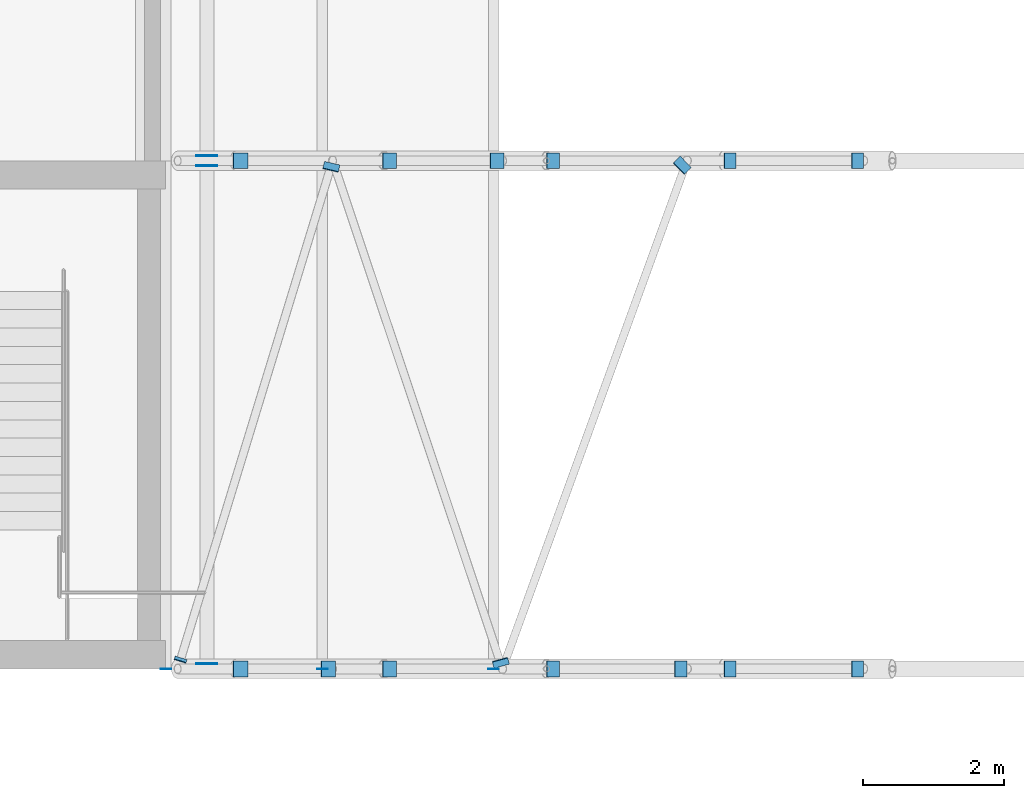
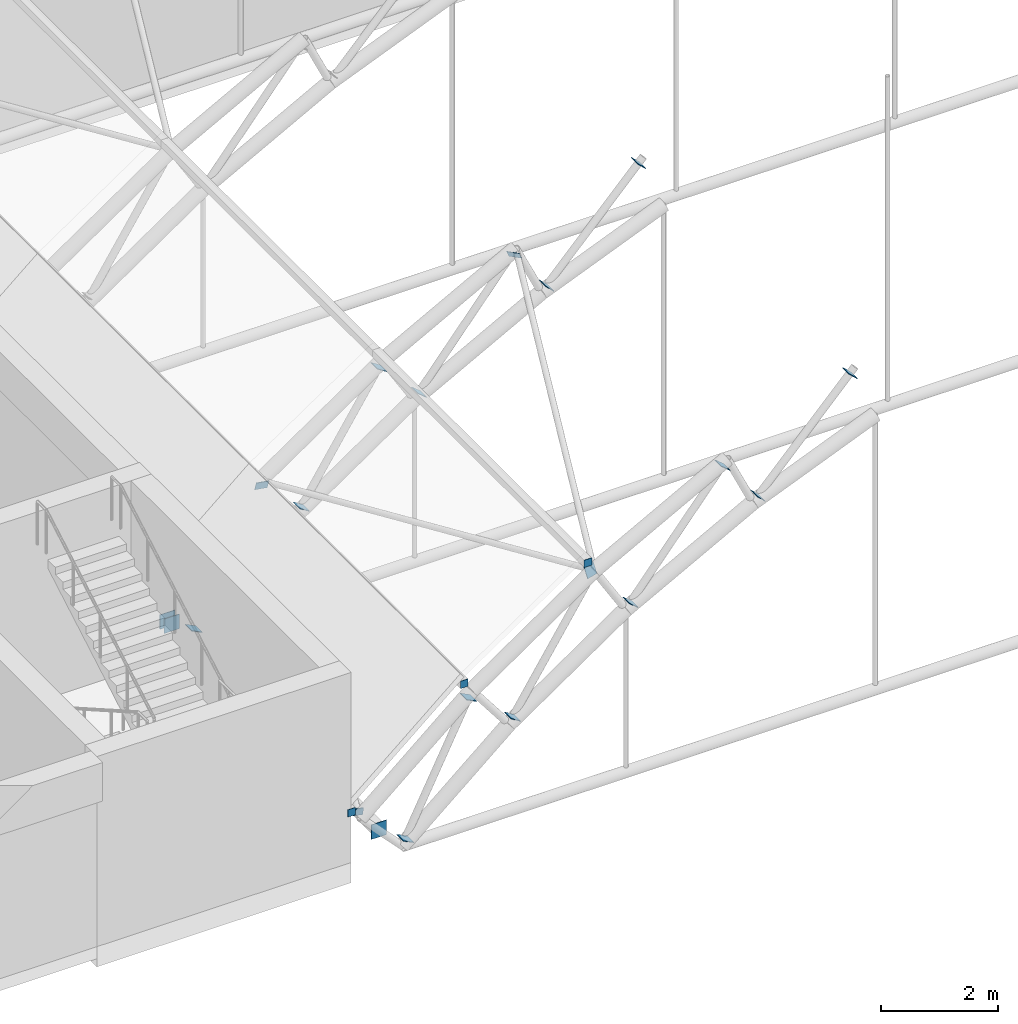
# One storey, part 83 of 101: 23 discrete accessories.
"""IFC4 building model written with IfcOpenShell, lengths in metres."""

from ifc_helpers import new_model, si_unit, direction, frame, origin, origin_2d, place, context, subcontext, project, spatial, rectangle, extrude, material, material_profile, profile_set, type_object, element, save


model = new_model("IFC4")

# Units and contexts
model_context = context("Model", 3, precision=1e-05, world=origin(), true_north=direction((0.0, 1.0)))
body_context = subcontext(model_context, "Body", "Model", "MODEL_VIEW")
ifc_project = project(units=[si_unit("LENGTHUNIT", "METRE"), si_unit("AREAUNIT", "SQUARE_METRE"), si_unit("VOLUMEUNIT", "CUBIC_METRE"), si_unit("PLANEANGLEUNIT", "RADIAN"), si_unit("MASSUNIT", "GRAM", prefix="KILO")], contexts=[model_context])

# Site, building, storey
site_placement = place(None, origin())
site = spatial("IfcSite", under=ifc_project, at=site_placement, CompositionType="ELEMENT")
building_placement = place(site_placement, origin())
building = spatial("IfcBuilding", under=site, at=building_placement, Name="Laocheng Heights Fire and Rescue Headquarters", CompositionType="ELEMENT")
storey_placement = place(building_placement, frame((0.0, 0.0, 8.39990234375)))
storey = spatial("IfcBuildingStorey", under=building, at=storey_placement, Name="L02", CompositionType="ELEMENT", Elevation=8.39990234375)

# Discrete accessories
ifc_material_1 = material(Name="Steel Q355B", Category="steel")
ifc_material_profile_1 = material_profile(ifc_material_1, rectangle(XDim=0.14990234375, YDim=0.14990234375, at=origin_2d()), Name="END CAP PLATE 150 x 150 x 8 FOR BAY ROOF PURLIN SHS 150x150x8")
ifc_profile_set_1 = profile_set([ifc_material_profile_1], Name="Steel Q355B")
discrete_accessory_type_1 = type_object("IfcDiscreteAccessoryType", Name="END CAP PLATE 150 x 150 x 8 FOR BAY ROOF PURLIN SHS 150x150x8", PredefinedType="BRACKET", material=ifc_profile_set_1)
for number, where, z_axis, x_axis, name in (
    (1, (17.00439453125, -0.008056640625, 1.045166015625), (0.0, 1.0, 0.0), (-1.0, 0.0, 0.0), "Cap plate at Purlin 1.1 end 1"),
    (2, (19.221435546875, -0.008056640625, 2.941162109375), (0.0, 1.0, 0.0), (-1.0, 0.0, 0.0), "Cap plate at Purlin 2.1 end 1"),
    (3, (21.64990234375, -0.008056640625, 4.60595703125), (0.0, 1.0, 0.0), (-1.0, 0.0, 0.0), "Cap plate at Purlin 3.1 end 1"),
):
    element("IfcDiscreteAccessory", number, at=place(storey_placement, frame(where, z_axis=z_axis, x_axis=x_axis)), inside=storey, type_object=discrete_accessory_type_1, Name=name, PredefinedType="BRACKET", context=body_context, shape_type="SweptSolid", body=[
        extrude(rectangle(XDim=0.14990234375, YDim=0.14990234375, at=origin_2d()), origin(), (0.0, 0.0, 1.0), 0.008056640625),
    ])
ifc_material_2 = material(Name="Steel Q355B, dark grey painted", Category="steel")
ifc_material_profile_2 = material_profile(ifc_material_2, rectangle(XDim=0.175048828125, YDim=0.175048828125, at=origin_2d()), Name="GUSSET PLATE 175 x 175 x 12 FOR BAY ROOF BRACE CHS 114.3x5")
ifc_profile_set_2 = profile_set([ifc_material_profile_2], Name="Steel Q355B, dark grey painted")
discrete_accessory_type_2 = type_object("IfcDiscreteAccessoryType", Name="GUSSET PLATE 175 x 175 x 12 FOR BAY ROOF BRACE CHS 114.3x5", PredefinedType="BRACKET", material=ifc_profile_set_2)
discrete_accessory_1_placement = place(storey_placement, frame((17.2099609375, 0.124267578125, 0.901611328125), z_axis=(0.282497009295, 0.928204459112, 0.242140293681), x_axis=(-0.956673880429, 0.291161615783, 0.0)))
element("IfcDiscreteAccessory", 4, at=discrete_accessory_1_placement, inside=storey, type_object=discrete_accessory_type_2, Name="End plate at BR01 end 1", PredefinedType="BRACKET", context=body_context, shape_type="SweptSolid", body=[
    extrude(rectangle(XDim=0.175048828125, YDim=0.175048828125, at=origin_2d()), origin(), (0.0, 0.0, 1.0), 0.01220703125),
])
ifc_material_3 = material(Name="Steel Q355B, dark grey painted", Category="steel")
ifc_material_profile_3 = material_profile(ifc_material_3, rectangle(XDim=0.22509765625, YDim=0.22509765625, at=origin_2d()), Name="GUSSET PLATE 225 x 225 x 12 FOR BAY ROOF DIAG CHS 139.7x6")
ifc_profile_set_3 = profile_set([ifc_material_profile_3], Name="Steel Q355B, dark grey painted")
discrete_accessory_type_3 = type_object("IfcDiscreteAccessoryType", Name="GUSSET PLATE 225 x 225 x 12 FOR BAY ROOF DIAG CHS 139.7x6", PredefinedType="BRACKET", material=ifc_profile_set_3)
for number, where, z_axis, x_axis, name in (
    (5, (18.059814453125, 0.0, 0.1201171875), (0.4472135955, 0.0, 0.894427191), (0.0, 1.0, 0.0), "End plate at TR1-DG01 end 1"),
    (6, (19.303955078125, 0.0, 2.618408203125), (0.4472135955, 0.0, 0.894427191), (0.0, 1.0, 0.0), "End plate at TR1-DG01 end 2"),
    (7, (20.172607421875, 0.0, 1.910888671875), (0.535542025358, 0.0, 0.84450857845), (0.0, 1.0, 0.0), "End plate at TR1-DG02 end 1"),
    (8, (22.48486328125, 0.0, 3.480712890625), (0.632126727472, 0.0, 0.774865020772), (0.0, 1.0, 0.0), "End plate at TR1-DG03 end 1"),
    (9, (24.297607421875, 0.0, 5.695068359375), (0.632126727472, 0.0, 0.774865020772), (0.0, 1.0, 0.0), "End plate at TR1-DG03 end 2"),
    (10, (24.991943359375, 0.0, 4.819580078125), (0.696785684263, 0.0, 0.717279380859), (0.0, 1.0, 0.0), "End plate at TR1-DG04 end 1"),
):
    element("IfcDiscreteAccessory", number, at=place(storey_placement, frame(where, z_axis=z_axis, x_axis=x_axis)), inside=storey, type_object=discrete_accessory_type_3, Name=name, PredefinedType="BRACKET", context=body_context, shape_type="SweptSolid", body=[
        extrude(rectangle(XDim=0.22509765625, YDim=0.22509765625, at=origin_2d()), origin(), (0.0, 0.0, 1.0), 0.011962890625),
    ])
discrete_accessory_2_placement = place(storey_placement, frame((26.7998046875, 0.0, 6.73291015625), z_axis=(0.686623532964, 0.0, 0.72701315255), x_axis=(0.0, 1.0, 0.0)))
element("IfcDiscreteAccessory", 11, at=discrete_accessory_2_placement, inside=storey, type_object=discrete_accessory_type_3, Name="End plate at TR1-DG04 end 2", PredefinedType="BRACKET", context=body_context, shape_type="SweptSolid", body=[
    extrude(rectangle(XDim=0.22509765625, YDim=0.22509765625, at=origin_2d()), origin(), (0.0, 0.0, 1.0), 0.01220703125),
])
for number, where, z_axis, x_axis, name in (
    (12, (18.059814453125, 7.199951171875, 0.1201171875), (0.4472135955, 0.0, 0.894427191), (0.0, 1.0, 0.0), "End plate at TR2-DG01 end 1"),
    (13, (20.172607421875, 7.199951171875, 1.910888671875), (0.535542025358, 0.0, 0.84450857845), (0.0, 1.0, 0.0), "End plate at TR2-DG02 end 1"),
    (14, (21.696044921875, 7.199951171875, 4.2783203125), (0.535542025358, 0.0, 0.84450857845), (0.0, 1.0, 0.0), "End plate at TR2-DG02 end 2"),
    (15, (22.48486328125, 7.199951171875, 3.480712890625), (0.632126727472, 0.0, 0.774865020772), (0.0, 1.0, 0.0), "End plate at TR2-DG03 end 1"),
    (16, (24.991943359375, 7.199951171875, 4.819580078125), (0.696785684263, 0.0, 0.717279380859), (0.0, 1.0, 0.0), "End plate at TR2-DG04 end 1"),
):
    element("IfcDiscreteAccessory", number, at=place(storey_placement, frame(where, z_axis=z_axis, x_axis=x_axis)), inside=storey, type_object=discrete_accessory_type_3, Name=name, PredefinedType="BRACKET", context=body_context, shape_type="SweptSolid", body=[
        extrude(rectangle(XDim=0.22509765625, YDim=0.22509765625, at=origin_2d()), origin(), (0.0, 0.0, 1.0), 0.011962890625),
    ])
discrete_accessory_3_placement = place(storey_placement, frame((26.7998046875, 7.199951171875, 6.73291015625), z_axis=(0.686623532964, 0.0, 0.72701315255), x_axis=(0.0, 1.0, 0.0)))
element("IfcDiscreteAccessory", 17, at=discrete_accessory_3_placement, inside=storey, type_object=discrete_accessory_type_3, Name="End plate at TR2-DG04 end 2", PredefinedType="BRACKET", context=body_context, shape_type="SweptSolid", body=[
    extrude(rectangle(XDim=0.22509765625, YDim=0.22509765625, at=origin_2d()), origin(), (0.0, 0.0, 1.0), 0.01220703125),
])
ifc_material_4 = material(Name="Steel Q355B, dark grey painted", Category="steel")
ifc_material_profile_4 = material_profile(ifc_material_4, rectangle(XDim=0.300048828125, YDim=0.300048828125, at=origin_2d()), Name="GUSSET PLATE 300 x 300 x 12 FOR BAY ROOF EAVES SHS 200x200x8")
ifc_profile_set_4 = profile_set([ifc_material_profile_4], Name="Steel Q355B, dark grey painted")
discrete_accessory_type_4 = type_object("IfcDiscreteAccessoryType", Name="GUSSET PLATE 300 x 300 x 12 FOR BAY ROOF EAVES SHS 200x200x8", PredefinedType="BRACKET", material=ifc_profile_set_4)
for number, where, z_axis, x_axis, name in (
    (18, (17.5859375, 0.06591796875, 0.4345703125), (0.0, 1.0, 0.0), (-1.0, 0.0, 0.0), "End plate at ES1 end 1"),
    (19, (17.5859375, 7.122314453125, 0.4345703125), (0.0, 1.0, 0.0), (-1.0, 0.0, 0.0), "End plate at ES1 end 2"),
    (20, (17.5859375, 7.265869140625, 0.4345703125), (0.0, 1.0, 0.0), (-1.0, 0.0, 0.0), "End plate at ES2 end 1"),
):
    element("IfcDiscreteAccessory", number, at=place(storey_placement, frame(where, z_axis=z_axis, x_axis=x_axis)), inside=storey, type_object=discrete_accessory_type_4, Name=name, PredefinedType="BRACKET", context=body_context, shape_type="SweptSolid", body=[
        extrude(rectangle(XDim=0.300048828125, YDim=0.300048828125, at=origin_2d()), origin(), (0.0, 0.0, 1.0), 0.011962890625),
    ])
ifc_material_5 = material(Name="Steel Q355B, dark grey painted", Category="steel")
ifc_material_profile_5 = material_profile(ifc_material_5, rectangle(XDim=0.22509765625, YDim=0.22509765625, at=origin_2d()), Name="NODE PLATE 225 x 225 x 12 FOR BAY ROOF BRACE CHS 114.3x5")
ifc_profile_set_5 = profile_set([ifc_material_profile_5], Name="Steel Q355B, dark grey painted")
discrete_accessory_type_5 = type_object("IfcDiscreteAccessoryType", Name="NODE PLATE 225 x 225 x 12 FOR BAY ROOF BRACE CHS 114.3x5", PredefinedType="BRACKET", material=ifc_profile_set_5)
discrete_accessory_4_placement = place(storey_placement, frame((21.75244140625, 0.0810546875, 4.36279296875), z_axis=(-0.240965798671, 0.883541261793, -0.401609664451), x_axis=(-0.964763821238, -0.263117405792, 0.0)))
element("IfcDiscreteAccessory", 21, at=discrete_accessory_4_placement, inside=storey, type_object=discrete_accessory_type_5, Name="Node plate at BR02 end 1, BR03 end 1, TR1-DG02 end 2", PredefinedType="BRACKET", context=body_context, shape_type="SweptSolid", body=[
    extrude(rectangle(XDim=0.22509765625, YDim=0.22509765625, at=origin_2d()), origin(), (0.0, 0.0, 1.0), 0.01220703125),
])
discrete_accessory_5_placement = place(storey_placement, frame((19.3505859375, 7.11865234375, 2.70849609375), z_axis=(-0.204550737432, -0.879568170959, -0.429556548608), x_axis=(0.974008027039, -0.22651349466, 0.0)))
element("IfcDiscreteAccessory", 22, at=discrete_accessory_5_placement, inside=storey, type_object=discrete_accessory_type_5, Name="Node plate at BR01 end 2, BR02 end 2, TR2-DG01 end 2", PredefinedType="BRACKET", context=body_context, shape_type="SweptSolid", body=[
    extrude(rectangle(XDim=0.22509765625, YDim=0.22509765625, at=origin_2d()), origin(), (0.0, 0.0, 1.0), 0.011962890625),
])
discrete_accessory_6_placement = place(storey_placement, frame((24.32568359375, 7.138671875, 5.744873046875), z_axis=(-0.583984690219, -0.563847287108, -0.583984690219), x_axis=(0.6945945137, -0.719401460617, 0.0)))
element("IfcDiscreteAccessory", 23, at=discrete_accessory_6_placement, inside=storey, type_object=discrete_accessory_type_5, Name="Node plate at BR03 end 2, TR2-DG03 end 2", PredefinedType="BRACKET", context=body_context, shape_type="SweptSolid", body=[
    extrude(rectangle(XDim=0.22509765625, YDim=0.22509765625, at=origin_2d()), origin(), (0.0, 0.0, 1.0), 0.01220703125),
])

save(model, "model.ifc")
